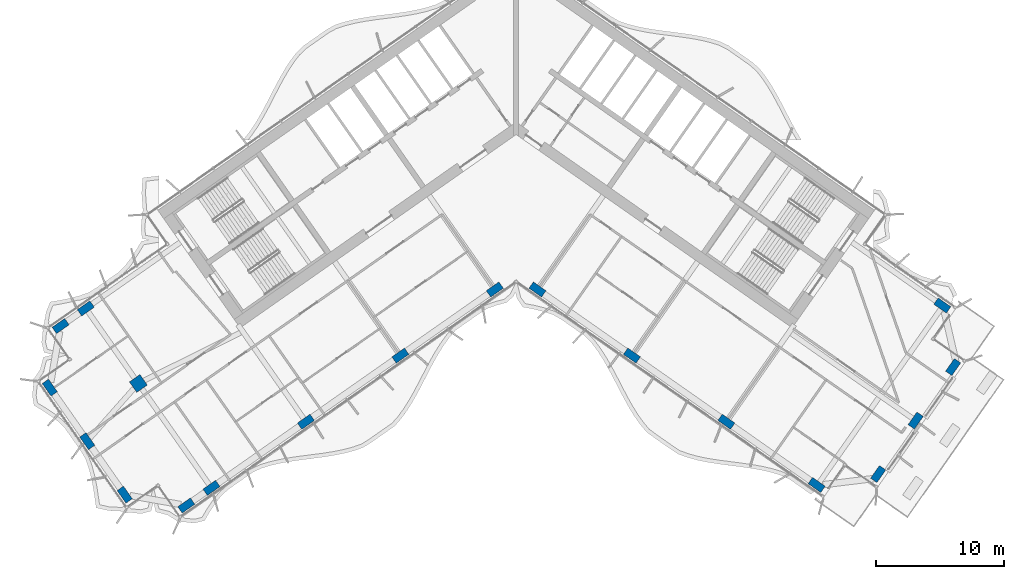
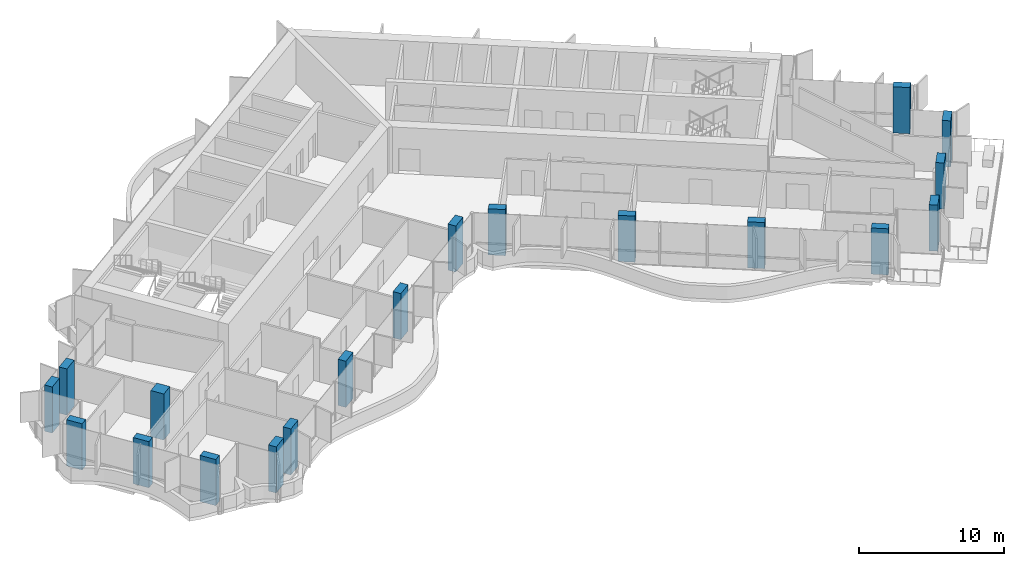
# One storey, part 1 of 23: 19 columns.
"""IFC4 building model written with IfcOpenShell, lengths in metres."""

from ifc_helpers import new_model, si_unit, direction, frame, origin, origin_2d, place, context, subcontext, project, spatial, rectangle, extrude, material, material_profile, profile_set, type_object, element, save


model = new_model("IFC4")

# Units and contexts
model_context = context("Model", 3, precision=1e-05, world=origin(), true_north=direction((0.0, 1.0)))
body_context = subcontext(model_context, "Body", "Model", "MODEL_VIEW")
ifc_project = project(units=[si_unit("LENGTHUNIT", "METRE"), si_unit("AREAUNIT", "SQUARE_METRE"), si_unit("VOLUMEUNIT", "CUBIC_METRE"), si_unit("PLANEANGLEUNIT", "RADIAN"), si_unit("MASSUNIT", "GRAM", prefix="KILO")], contexts=[model_context])

# Site, building, storey
site_placement = place(None, origin())
site = spatial("IfcSite", under=ifc_project, at=site_placement, CompositionType="ELEMENT")
building_placement = place(site_placement, origin())
building = spatial("IfcBuilding", under=site, at=building_placement, Name="Tel Ilan Convention Tower", CompositionType="ELEMENT")
storey_placement = place(building_placement, frame((0.0, 0.0, 190.5)))
storey = spatial("IfcBuildingStorey", under=building, at=storey_placement, Name="L44", CompositionType="ELEMENT", Elevation=190.5)

# Columns
ifc_material_1 = material(Name="Concrete C50/60", Category="concrete")
ifc_material_profile_1 = material_profile(ifc_material_1, rectangle(XDim=1.0, YDim=1.0, at=origin_2d()), Name="RC 1000x1000")
ifc_profile_set_1 = profile_set([ifc_material_profile_1], Name="Concrete C50/60")
column_type_1 = type_object("IfcColumnType", Name="Column RC 1000x1000 C50/60", PredefinedType="COLUMN", material=ifc_profile_set_1)
column_placement = place(storey_placement, frame((-29.489501953125, -20.648681640625, 0.0), z_axis=(0.0, 0.0, 1.0), x_axis=(-0.819152044289, -0.573576436351, 0.0)))
element("IfcColumn", 1, at=column_placement, inside=storey, type_object=column_type_1, Name="L44 column W-M4", PredefinedType="COLUMN", context=body_context, shape_type="SweptSolid", body=[
    extrude(rectangle(XDim=1.0, YDim=1.0, at=origin_2d()), origin(), (0.0, 0.0, 1.0), 3.89990234375),
])
ifc_material_2 = material(Name="Concrete C50/60", Category="concrete")
ifc_material_profile_2 = material_profile(ifc_material_2, rectangle(XDim=1.199951171875, YDim=0.60009765625, at=origin_2d()), Name="RC 600x1200")
ifc_profile_set_2 = profile_set([ifc_material_profile_2], Name="Concrete C50/60")
column_type_2 = type_object("IfcColumnType", Name="Column RC 600x1200 C50/60", PredefinedType="COLUMN", material=ifc_profile_set_2)
for number, where, z_axis, x_axis, name in (
    (2, (-1.665283203125, -13.312744140625, 0.0), (0.0, 0.0, 1.0), (-0.819152044289, -0.573576436351, 0.0), "L44 column W-F1"),
    (3, (-9.03759765625, -18.474853515625, 0.0), (0.0, 0.0, 1.0), (-0.819152044289, -0.573576436351, 0.0), "L44 column W-F2"),
    (4, (-16.409912109375, -23.63720703125, 0.0), (0.0, 0.0, 1.0), (-0.819152044289, -0.573576436351, 0.0), "L44 column W-F3"),
    (5, (-23.782470703125, -28.79931640625, 0.0), (0.0, 0.0, 1.0), (-0.819152044289, -0.573576436351, 0.0), "L44 column W-F4"),
    (6, (-25.748291015625, -30.17578125, 0.0), (0.0, 0.0, 1.0), (-0.819152044289, -0.573576436351, 0.0), "L44 column W-FC"),
    (7, (-33.590576171875, -14.791748046875, 0.0), (0.0, 0.0, 1.0), (-0.819152044289, -0.573576436351, 0.0), "L44 column W-B4"),
    (8, (-35.556396484375, -16.16845703125, 0.0), (0.0, 0.0, 1.0), (-0.819152044289, -0.573576436351, 0.0), "L44 column W-BC"),
    (9, (-30.55322265625, -29.32861328125, 0.0), (0.0, 0.0, 1.0), (-0.573576436351, 0.819152044289, 0.0), "L44 column W-E1"),
    (10, (-33.478515625, -25.15087890625, 0.0), (0.0, 0.0, 1.0), (-0.573576436351, 0.819152044289, 0.0), "L44 column W-E2"),
    (11, (-36.40380859375, -20.973388671875, 0.0), (0.0, 0.0, 1.0), (-0.573576436351, 0.819152044289, 0.0), "L44 column W-E3"),
    (12, (1.665283203125, -13.312744140625, 0.0), (0.0, 0.0, 1.0), (0.819152044289, -0.573576436351, 0.0), "L44 column E-F1"),
    (13, (9.03759765625, -18.474853515625, 0.0), (0.0, 0.0, 1.0), (0.819152044289, -0.573576436351, 0.0), "L44 column E-F2"),
    (14, (16.409912109375, -23.63720703125, 0.0), (0.0, 0.0, 1.0), (0.819152044289, -0.573576436351, 0.0), "L44 column E-F3"),
    (15, (23.45458984375, -28.56982421875, 0.0), (0.0, 0.0, 1.0), (0.819152044289, -0.573576436351, 0.0), "L44 column E-FC"),
    (16, (33.262939453125, -14.5625, 0.0), (0.0, 0.0, 1.0), (0.819152044289, -0.573576436351, 0.0), "L44 column E-BC"),
    (17, (28.259521484375, -27.72265625, 0.0), (0.0, 0.0, 1.0), (0.573576436351, 0.819152044289, 0.0), "L44 column E-E1"),
    (18, (31.184814453125, -23.544921875, 0.0), (0.0, 0.0, 1.0), (0.573576436351, 0.819152044289, 0.0), "L44 column E-E2"),
    (19, (34.110107421875, -19.3671875, 0.0), (0.0, 0.0, 1.0), (0.573576436351, 0.819152044289, 0.0), "L44 column E-E3"),
):
    element("IfcColumn", number, at=place(storey_placement, frame(where, z_axis=z_axis, x_axis=x_axis)), inside=storey, type_object=column_type_2, Name=name, PredefinedType="COLUMN", context=body_context, shape_type="SweptSolid", body=[
        extrude(rectangle(XDim=1.199951171875, YDim=0.60009765625, at=origin_2d()), origin(), (0.0, 0.0, 1.0), 3.89990234375),
    ])

save(model, "model.ifc")
